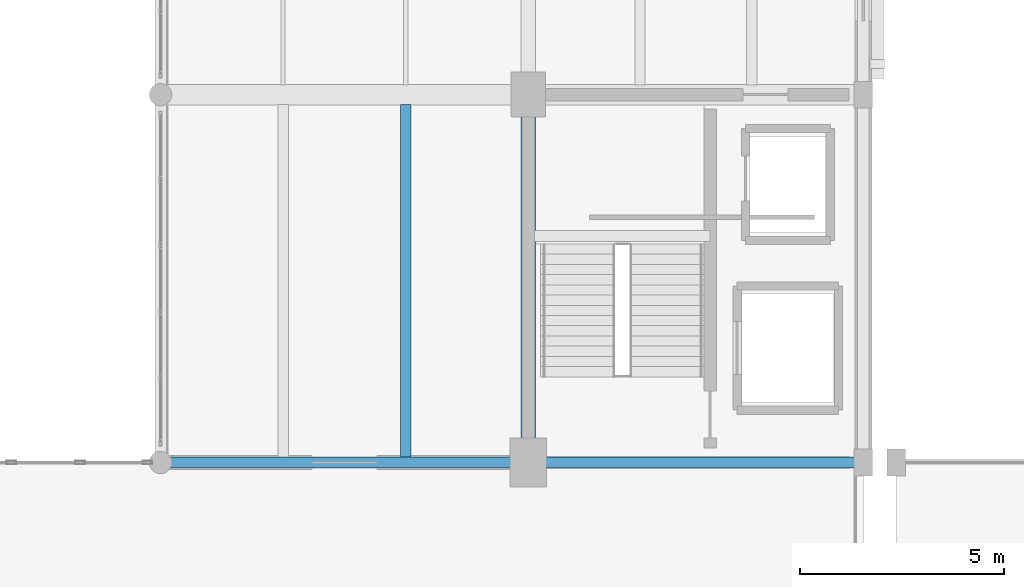
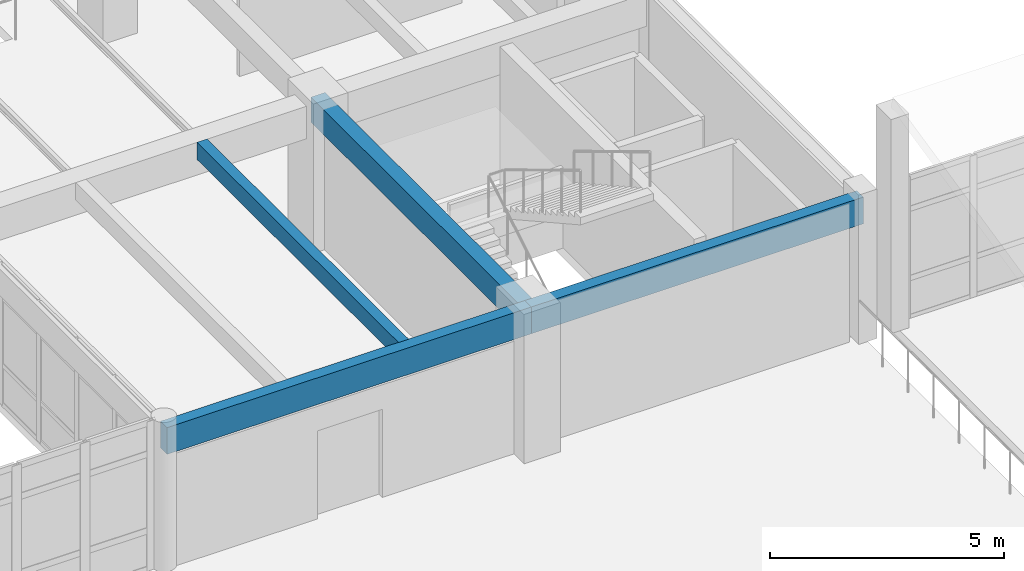
# One storey, part 29 of 156: 4 beams.
"""IFC4 building model written with IfcOpenShell, lengths in metres."""

from ifc_helpers import new_model, si_unit, direction, frame, origin, origin_2d, place, context, subcontext, project, spatial, rectangle, extrude, material, material_profile, profile_set, type_object, element, save


model = new_model("IFC4")

# Units and contexts
model_context = context("Model", 3, precision=1e-05, world=origin(), true_north=direction((0.0, 1.0)))
body_context = subcontext(model_context, "Body", "Model", "MODEL_VIEW")
ifc_project = project(units=[si_unit("LENGTHUNIT", "METRE"), si_unit("AREAUNIT", "SQUARE_METRE"), si_unit("VOLUMEUNIT", "CUBIC_METRE"), si_unit("PLANEANGLEUNIT", "RADIAN"), si_unit("MASSUNIT", "GRAM", prefix="KILO")], contexts=[model_context])

# Site, building, storey
site_placement = place(None, origin())
site = spatial("IfcSite", under=ifc_project, at=site_placement, CompositionType="ELEMENT")
building_placement = place(site_placement, origin())
building = spatial("IfcBuilding", under=site, at=building_placement, Name="Ornek Quay Market", CompositionType="ELEMENT")
storey_placement = place(building_placement, frame((0.0, 0.0, 4.5)))
storey = spatial("IfcBuildingStorey", under=building, at=storey_placement, Name="L01", CompositionType="ELEMENT", Elevation=4.5)

# Beams
ifc_material = material(Name="Concrete C35/45", Category="concrete")
ifc_material_profile_1 = material_profile(ifc_material, rectangle(XDim=0.35009765625, YDim=0.64990234375, at=origin_2d()), Name="RC 350x650", Category="concrete")
ifc_profile_set_1 = profile_set([ifc_material_profile_1], Name="Concrete C35/45")
beam_type_1 = type_object("IfcBeamType", Name="BM-CONC-350x650", PredefinedType="BEAM", material=ifc_profile_set_1)
beam_1_placement = place(storey_placement, frame((117.0, 29.0, 3.3349609375), z_axis=(0.0, 1.0, 0.0), x_axis=(-1.0, 0.0, 0.0)))
element("IfcBeam", 1, at=beam_1_placement, inside=storey, type_object=beam_type_1, Name="Primary beam B-CN1-121", PredefinedType="BEAM", context=body_context, shape_type="SweptSolid", body=[
    extrude(rectangle(XDim=0.35009765625, YDim=0.64990234375, at=origin_2d()), origin(), (0.0, 0.0, 1.0), 9.0),
])
ifc_material_profile_2 = material_profile(ifc_material, rectangle(XDim=0.25, YDim=0.449951171875, at=origin_2d()), Name="RC 250x450", Category="concrete")
ifc_profile_set_2 = profile_set([ifc_material_profile_2], Name="Concrete C35/45")
beam_type_2 = type_object("IfcBeamType", Name="BM-SEC-250x450", PredefinedType="JOIST", material=ifc_profile_set_2)
beam_2_placement = place(storey_placement, frame((114.0, 29.132080078125, 3.43505859375), z_axis=(0.0, 1.0, 0.0), x_axis=(-1.0, 0.0, 0.0)))
element("IfcBeam", 2, at=beam_2_placement, inside=storey, type_object=beam_type_2, Name="Secondary joist B-SC3-026", PredefinedType="JOIST", context=body_context, shape_type="SweptSolid", body=[
    extrude(rectangle(XDim=0.25, YDim=0.449951171875, at=origin_2d()), origin(), (0.0, 0.0, 1.0), 8.6259765625),
])
ifc_material_profile_3 = material_profile(ifc_material, rectangle(XDim=0.280029296875, YDim=0.699951171875, at=origin_2d()), Name="RC 280x700", Category="concrete")
ifc_profile_set_3 = profile_set([ifc_material_profile_3], Name="Concrete C35/45")
beam_type_3 = type_object("IfcBeamType", Name="BM-SPN-280x700", PredefinedType="SPANDREL", material=ifc_profile_set_3)
beam_3_placement = place(storey_placement, frame((108.0, 29.0, 3.31005859375), z_axis=(1.0, 0.0, 0.0), x_axis=(0.0, 1.0, 0.0)))
element("IfcBeam", 3, at=beam_3_placement, inside=storey, type_object=beam_type_3, Name="Primary beam B-SP2-069", PredefinedType="SPANDREL", context=body_context, shape_type="SweptSolid", body=[
    extrude(rectangle(XDim=0.280029296875, YDim=0.699951171875, at=origin_2d()), origin(), (0.0, 0.0, 1.0), 9.0),
])
beam_4_placement = place(storey_placement, frame((117.0, 29.0, 3.31005859375), z_axis=(1.0, 0.0, 0.0), x_axis=(0.0, 1.0, 0.0)))
element("IfcBeam", 4, at=beam_4_placement, inside=storey, type_object=beam_type_3, Name="Primary beam B-SP2-070", PredefinedType="SPANDREL", context=body_context, shape_type="SweptSolid", body=[
    extrude(rectangle(XDim=0.280029296875, YDim=0.699951171875, at=origin_2d()), origin(), (0.0, 0.0, 1.0), 8.199951171875),
])

save(model, "model.ifc")
